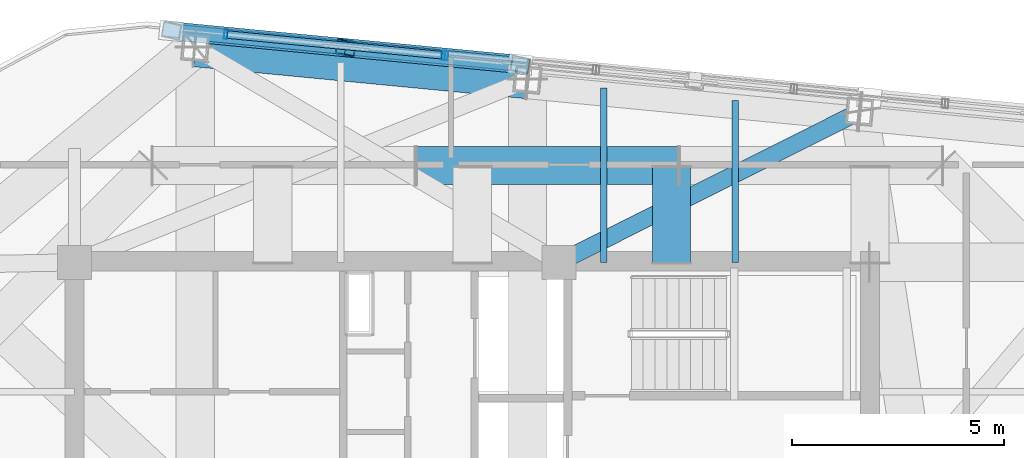
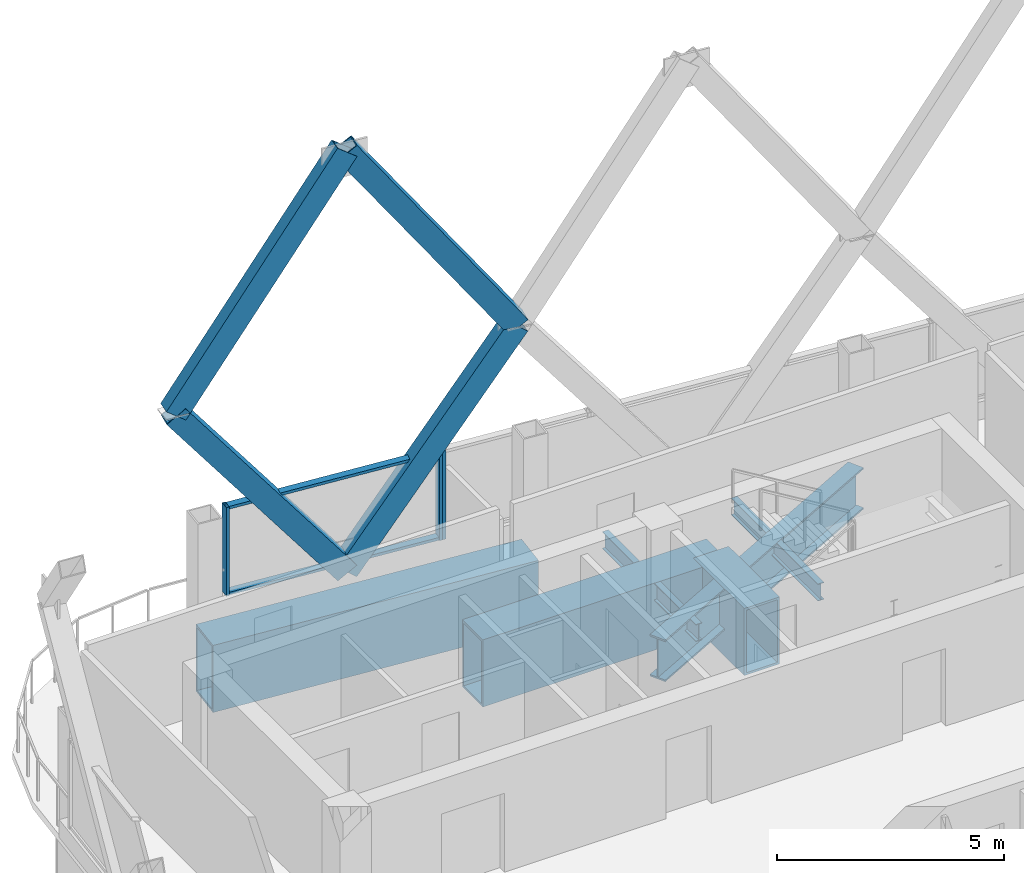
# One storey, part 20 of 31: 9 members, 6 beams, 2 elements without a shape of their own.
"""IFC4 building model written with IfcOpenShell, lengths in metres."""

from ifc_helpers import new_model, si_unit, direction, frame, origin, origin_2d, place, context, subcontext, project, spatial, hollow_rectangle, i_section, extrude, material, layer, layer_set, material_profile, profile_set, type_object, element, aggregate, save


model = new_model("IFC4")

# Units and contexts
model_context = context("Model", 3, precision=1e-05, world=origin(), true_north=direction((0.0, 1.0)))
body_context = subcontext(model_context, "Body", "Model", "MODEL_VIEW")
ifc_project = project(units=[si_unit("LENGTHUNIT", "METRE"), si_unit("AREAUNIT", "SQUARE_METRE"), si_unit("VOLUMEUNIT", "CUBIC_METRE"), si_unit("PLANEANGLEUNIT", "RADIAN"), si_unit("MASSUNIT", "GRAM", prefix="KILO")], contexts=[model_context])

# Site, building, storey
site_placement = place(None, origin())
site = spatial("IfcSite", under=ifc_project, at=site_placement, CompositionType="ELEMENT")
building_placement = place(site_placement, origin())
building = spatial("IfcBuilding", under=site, at=building_placement, Name="Qhalaya Broadcast Tower", CompositionType="ELEMENT")
storey_placement = place(building_placement, frame((0.0, 0.0, 242.85009765625)))
storey = spatial("IfcBuildingStorey", under=building, at=storey_placement, Name="L71", CompositionType="ELEMENT", Elevation=242.85009765625)

# Beams
ifc_material_1 = material(Name="Structural Steel ASTM A572 Grade 50", Category="steel")
ifc_material_profile_1 = material_profile(ifc_material_1, hollow_rectangle(XDim=0.89990234375, YDim=1.800048828125, WallThickness=0.06005859375, at=origin_2d()), Name="BOX 900x1800x60")
ifc_profile_set_1 = profile_set([ifc_material_profile_1], Name="Structural Steel ASTM A572 Grade 50")
beam_type_1 = type_object("IfcBeamType", Name="Block Cantilever Transfer Box Girder TG1", PredefinedType="USERDEFINED", material=ifc_profile_set_1)
beam_1_placement = place(storey_placement, frame((1.302001953125, 14.25634765625, -1.090087890625), z_axis=(-0.995394062251, 0.095867934346, 0.0), x_axis=(-0.095867934346, -0.995394062251, 0.0)))
element("IfcBeam", 1, at=beam_1_placement, inside=storey, type_object=beam_type_1, Name="L71 TG1 L71-SPR-11", ObjectType="GIRDER", PredefinedType="USERDEFINED", context=body_context, shape_type="SweptSolid", body=[
    extrude(hollow_rectangle(XDim=0.89990234375, YDim=1.800048828125, WallThickness=0.06005859375, at=origin_2d()), origin(), (0.0, 0.0, 1.0), 7.866455078125),
])
beam_2_placement = place(storey_placement, frame((4.8701171875, 12.22998046875, -1.090087890625), z_axis=(-1.0, 0.0, 0.0), x_axis=(0.0, -1.0, 0.0)))
element("IfcBeam", 2, at=beam_2_placement, inside=storey, type_object=beam_type_1, Name="L71 TG1 L71-TGL-10", ObjectType="GIRDER", PredefinedType="USERDEFINED", context=body_context, shape_type="SweptSolid", body=[
    extrude(hollow_rectangle(XDim=0.89990234375, YDim=1.800048828125, WallThickness=0.06005859375, at=origin_2d()), origin(), (0.0, 0.0, 1.0), 6.2001953125),
])
beam_3_placement = place(storey_placement, frame((4.699951171875, 9.949951171875, -1.090087890625), z_axis=(0.0, 1.0, 0.0), x_axis=(-1.0, 0.0, 0.0)))
element("IfcBeam", 3, at=beam_3_placement, inside=storey, type_object=beam_type_1, Name="L71 TG1 L71-TGIMNE-1", ObjectType="GIRDER", PredefinedType="USERDEFINED", context=body_context, shape_type="SweptSolid", body=[
    extrude(hollow_rectangle(XDim=0.89990234375, YDim=1.800048828125, WallThickness=0.06005859375, at=origin_2d()), origin(), (0.0, 0.0, 1.0), 2.239990234375),
])
ifc_material_2 = material(Name="Structural Steel ASTM A992 Grade 50", Category="steel")
ifc_material_profile_2 = material_profile(ifc_material_2, i_section(OverallWidth=0.154052734375, OverallDepth=0.458984375, WebThickness=0.009033203125, FlangeThickness=0.015380859375, at=origin_2d()), Name="W18X46")
ifc_profile_set_2 = profile_set([ifc_material_profile_2], Name="Structural Steel ASTM A992 Grade 50")
beam_type_2 = type_object("IfcBeamType", Name="Composite Floor Joist J04", PredefinedType="JOIST", material=ifc_profile_set_2)
beam_4_placement = place(storey_placement, frame((3.10009765625, 9.949951171875, -0.419677734375), z_axis=(0.0, 1.0, 0.0), x_axis=(-1.0, 0.0, 0.0)))
element("IfcBeam", 4, at=beam_4_placement, inside=storey, type_object=beam_type_2, Name="L71 J04 L71-JNN4-1", PredefinedType="JOIST", context=body_context, shape_type="SweptSolid", body=[
    extrude(i_section(OverallWidth=0.154052734375, OverallDepth=0.458984375, WebThickness=0.009033203125, FlangeThickness=0.015380859375, at=origin_2d()), origin(), (0.0, 0.0, 1.0), 4.11328125),
])
beam_5_placement = place(storey_placement, frame((6.199951171875, 9.949951171875, -0.419677734375), z_axis=(0.0, 1.0, 0.0), x_axis=(-1.0, 0.0, 0.0)))
element("IfcBeam", 5, at=beam_5_placement, inside=storey, type_object=beam_type_2, Name="L71 J04 L71-JNN5-1", PredefinedType="JOIST", context=body_context, shape_type="SweptSolid", body=[
    extrude(i_section(OverallWidth=0.154052734375, OverallDepth=0.458984375, WebThickness=0.009033203125, FlangeThickness=0.015380859375, at=origin_2d()), origin(), (0.0, 0.0, 1.0), 3.814697265625),
])

# Members
ifc_material_profile_3 = material_profile(ifc_material_1, hollow_rectangle(XDim=0.3798828125, YDim=0.550048828125, WallThickness=0.02490234375, at=origin_2d()), Name="BOX 380x550x25")
ifc_profile_set_3 = profile_set([ifc_material_profile_3], Name="Structural Steel ASTM A572 Grade 50")
member_type_1 = type_object("IfcMemberType", Name="Exoskeleton Diamond Diagonal Upper EX4", PredefinedType="BRACE", material=ifc_profile_set_3)
for number, where, z_axis, x_axis, name in (
    (6, (-2.978759765625, 15.01025390625, 0.35986328125), (0.605362942159, -0.058301925892, 0.793811434597), (0.171157163881, 0.983517925101, -0.058289932722), "B6 Exoskeleton Diamond Brace N3-D1"),
    (7, (-2.978759765625, 15.01025390625, 0.35986328125), (-0.605362942159, 0.058301925892, 0.793811434597), (-0.171157163881, -0.983517925101, -0.058289932722), "B6 Exoskeleton Diamond Brace N3-D2"),
):
    element("IfcMember", number, at=place(storey_placement, frame(where, z_axis=z_axis, x_axis=x_axis)), inside=storey, type_object=member_type_1, Name=name, PredefinedType="BRACE", context=body_context, shape_type="SweptSolid", body=[
        extrude(hollow_rectangle(XDim=0.3798828125, YDim=0.550048828125, WallThickness=0.02490234375, at=origin_2d()), origin(), (0.0, 0.0, 1.0), 6.79638671875),
    ])
for number, where, z_axis, x_axis, name in (
    (8, (1.135498046875, 14.614013671875, 5.7548828125), (-0.572753444041, 0.055161336321, 0.817869622443), (-0.173452418829, -0.983296871293, -0.055149989195), "B6 Exoskeleton Diamond Brace N3-D3"),
    (9, (-7.093017578125, 15.406494140625, 5.7548828125), (0.572753444041, -0.055161336321, 0.817869622443), (0.173452418829, 0.983296871293, -0.055149989195), "B6 Exoskeleton Diamond Brace N3-D4"),
):
    element("IfcMember", number, at=place(storey_placement, frame(where, z_axis=z_axis, x_axis=x_axis)), inside=storey, type_object=member_type_1, Name=name, PredefinedType="BRACE", context=body_context, shape_type="SweptSolid", body=[
        extrude(hollow_rectangle(XDim=0.3798828125, YDim=0.550048828125, WallThickness=0.02490234375, at=origin_2d()), origin(), (0.0, 0.0, 1.0), 7.183349609375),
    ])

# Beam
ifc_material_profile_4 = material_profile(ifc_material_2, i_section(OverallWidth=0.404052734375, OverallDepth=1.117919921875, WebThickness=0.026123046875, FlangeThickness=0.044921875, at=origin_2d()), Name="W44X335")
ifc_profile_set_4 = profile_set([ifc_material_profile_4], Name="Structural Steel ASTM A992 Grade 50")
beam_type_3 = type_object("IfcBeamType", Name="Podium Long-Span Primary Girder PG1", PredefinedType="USERDEFINED", material=ifc_profile_set_4)
beam_6_placement = place(storey_placement, frame((2.050048828125, 9.949951171875, -0.7490234375), z_axis=(0.893859529311, 0.448347122061, 0.0), x_axis=(-0.448347122061, 0.893859529311, 0.0)))
element("IfcBeam", 10, at=beam_6_placement, inside=storey, type_object=beam_type_3, Name="L71 Column-to-Column Moment Tie Girder 10-1", ObjectType="GIRDER", PredefinedType="USERDEFINED", context=body_context, shape_type="SweptSolid", body=[
    extrude(i_section(OverallWidth=0.404052734375, OverallDepth=1.117919921875, WebThickness=0.026123046875, FlangeThickness=0.044921875, at=origin_2d()), origin(), (0.0, 0.0, 1.0), 7.923583984375),
])

# Curtain wall, member
ifc_material_3 = material(Name="Solar-Control Low-E Triple Glazing", Category="glass")
ifc_layer_1 = layer(ifc_material_3, 0.219970703125, Name="Solar-Control Low-E Triple Glazing")
ifc_layer_set_1 = layer_set([ifc_layer_1], Name="Solar-Control Low-E Triple Glazing")
curtain_wall_type_1 = type_object("IfcCurtainWallType", Name="High-Altitude Upper-Shaft Triple Low-E Curtain Wall CW-04", PredefinedType="NOTDEFINED", material=ifc_layer_set_1)
curtain_wall_1_placement = place(storey_placement, origin())
curtain_wall_1 = element("IfcCurtainWall", 11, at=curtain_wall_1_placement, inside=storey, type_object=curtain_wall_type_1, Name="L71 Unitised Curtain Wall L71-CW-N4", PredefinedType="NOTDEFINED")
ifc_material_4 = material(Name="Anodised Aluminium 6063-T6", Category="aluminium")
ifc_material_profile_5 = material_profile(ifc_material_4, hollow_rectangle(XDim=0.074951171875, YDim=0.219970703125, WallThickness=0.00390625, at=origin_2d()), Name="ALU-MUL 75x220x4")
ifc_profile_set_5 = profile_set([ifc_material_profile_5], Name="Anodised Aluminium 6063-T6")
member_type_2 = type_object("IfcMemberType", Name="Unitised Curtain-Wall Mullion M01", PredefinedType="MULLION", material=ifc_profile_set_5)
member_1_placement = place(storey_placement, frame((-0.605712890625, 14.822021484375, 0.47998046875), z_axis=(0.0, 0.0, 1.0), x_axis=(-0.995396792791, 0.095839578992, 0.0)))
member_1 = element("IfcMember", 12, at=member_1_placement, type_object=member_type_2, Name="CW-04 mullion 2", PredefinedType="MULLION", context=body_context, shape_type="SweptSolid", body=[
    extrude(hollow_rectangle(XDim=0.074951171875, YDim=0.219970703125, WallThickness=0.00390625, at=origin_2d()), origin(), (0.0, 0.0, 1.0), 2.3798828125),
])
aggregate(curtain_wall_1, [member_1])

# Curtain wall, members
ifc_material_5 = material(Name="Fired Architectural Terracotta", Category="masonry")
ifc_layer_2 = layer(ifc_material_5, 0.219970703125, Name="Fired Architectural Terracotta")
ifc_layer_set_2 = layer_set([ifc_layer_2], Name="Fired Architectural Terracotta")
curtain_wall_type_2 = type_object("IfcCurtainWallType", Name="Block-Cap Unitised Terracotta Spandrel Wall CW-07", PredefinedType="NOTDEFINED", material=ifc_layer_set_2)
curtain_wall_2_placement = place(storey_placement, origin())
curtain_wall_2 = element("IfcCurtainWall", 13, at=curtain_wall_2_placement, inside=storey, type_object=curtain_wall_type_2, Name="L71 Unitised Curtain Wall L71-CW-N5", PredefinedType="NOTDEFINED")
member_2_placement = place(storey_placement, frame((-0.680419921875, 14.8291015625, 0.47998046875), z_axis=(0.0, 0.0, 1.0), x_axis=(-0.995395942778, 0.095848406879, 0.0)))
member_2 = element("IfcMember", 14, at=member_2_placement, type_object=member_type_2, Name="CW-07 mullion 1", PredefinedType="MULLION", context=body_context, shape_type="SweptSolid", body=[
    extrude(hollow_rectangle(XDim=0.074951171875, YDim=0.219970703125, WallThickness=0.00390625, at=origin_2d()), origin(), (0.0, 0.0, 1.0), 2.3798828125),
])
member_3_placement = place(storey_placement, frame((-5.8076171875, 15.32275390625, 0.47998046875), z_axis=(0.0, 0.0, 1.0), x_axis=(-0.995395942778, 0.095848406879, 0.0)))
member_3 = element("IfcMember", 15, at=member_3_placement, type_object=member_type_2, Name="CW-07 mullion 2", PredefinedType="MULLION", context=body_context, shape_type="SweptSolid", body=[
    extrude(hollow_rectangle(XDim=0.074951171875, YDim=0.219970703125, WallThickness=0.00390625, at=origin_2d()), origin(), (0.0, 0.0, 1.0), 2.3798828125),
])
ifc_material_profile_6 = material_profile(ifc_material_4, hollow_rectangle(XDim=0.074951171875, YDim=0.179931640625, WallThickness=0.00390625, at=origin_2d()), Name="ALU-TRN 75x180x4")
ifc_profile_set_6 = profile_set([ifc_material_profile_6], Name="Anodised Aluminium 6063-T6")
member_type_3 = type_object("IfcMemberType", Name="Unitised Curtain-Wall Transom T01", PredefinedType="USERDEFINED", material=ifc_profile_set_6)
member_4_placement = place(storey_placement, frame((-0.7177734375, 14.832763671875, 0.517333984375), z_axis=(-0.995399418478, 0.095812304499, 0.0), x_axis=(0.0, 0.0, 1.0)))
member_4 = element("IfcMember", 16, at=member_4_placement, type_object=member_type_3, Name="CW-07 transom 1.1", ObjectType="TRANSOM", PredefinedType="USERDEFINED", context=body_context, shape_type="SweptSolid", body=[
    extrude(hollow_rectangle(XDim=0.074951171875, YDim=0.179931640625, WallThickness=0.00390625, at=origin_2d()), origin(), (0.0, 0.0, 1.0), 5.075927734375),
])
member_5_placement = place(storey_placement, frame((-0.7177734375, 14.832763671875, 2.822509765625), z_axis=(-0.995399418478, 0.095812304499, 0.0), x_axis=(0.0, 0.0, 1.0)))
member_5 = element("IfcMember", 17, at=member_5_placement, type_object=member_type_3, Name="CW-07 transom 1.2", ObjectType="TRANSOM", PredefinedType="USERDEFINED", context=body_context, shape_type="SweptSolid", body=[
    extrude(hollow_rectangle(XDim=0.074951171875, YDim=0.179931640625, WallThickness=0.00390625, at=origin_2d()), origin(), (0.0, 0.0, 1.0), 5.075927734375),
])
aggregate(curtain_wall_2, [member_2, member_3, member_4, member_5])

save(model, "model.ifc")
